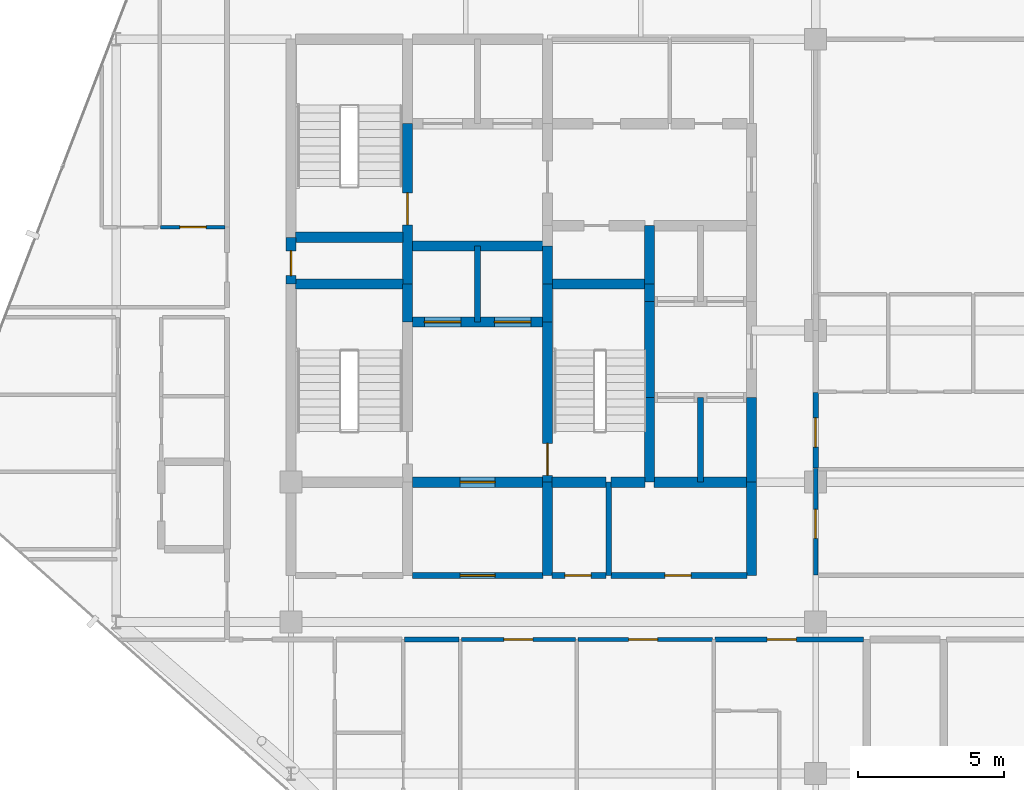
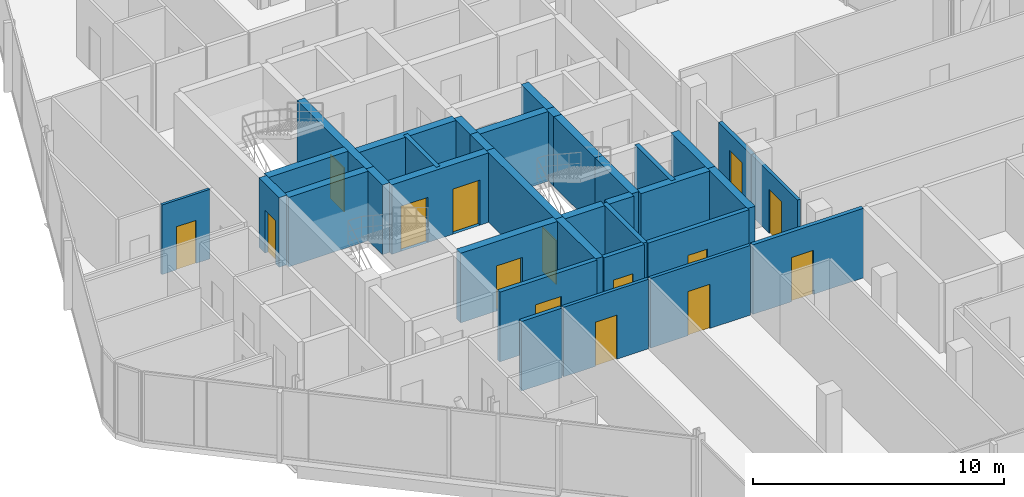
# One storey, part 24 of 29: 35 walls, 15 doors, 15 openings.
"""IFC4 building model written with IfcOpenShell, lengths in metres."""

from ifc_helpers import new_model, si_unit, direction, frame, frame_2d, origin, place, context, subcontext, project, spatial, rectangle, extrude, material, layer, layer_set, type_object, element, fill, save


model = new_model("IFC4")

# Units and contexts
model_context = context("Model", 3, precision=1e-05, world=origin(), true_north=direction((0.0, 1.0)))
body_context = subcontext(model_context, "Body", "Model", "MODEL_VIEW")
ifc_project = project(units=[si_unit("LENGTHUNIT", "METRE"), si_unit("AREAUNIT", "SQUARE_METRE"), si_unit("VOLUMEUNIT", "CUBIC_METRE"), si_unit("PLANEANGLEUNIT", "RADIAN"), si_unit("MASSUNIT", "GRAM", prefix="KILO")], contexts=[model_context])

# Site, building, storey
site_placement = place(None, origin())
site = spatial("IfcSite", under=ifc_project, at=site_placement, CompositionType="ELEMENT")
building_placement = place(site_placement, origin())
building = spatial("IfcBuilding", under=site, at=building_placement, Name="Keshet Zoharim Tower", CompositionType="ELEMENT")
storey_placement = place(building_placement, frame((0.0, 0.0, 210.60009765625)))
storey = spatial("IfcBuildingStorey", under=building, at=storey_placement, Name="L52", CompositionType="ELEMENT", Elevation=210.60009765625)

# Wall, opening, door
ifc_material_1 = material(Name="Gypsum Plasterboard", Category="gypsum")
ifc_layer_1 = layer(ifc_material_1, 0.14990234375)
ifc_layer_set_1 = layer_set([ifc_layer_1], Name="Gypsum Plasterboard")
wall_type_1 = type_object("IfcWallType", Name="WL-CLIN-150", PredefinedType="STANDARD", material=ifc_layer_set_1)
wall_1_placement = place(storey_placement, frame((33.0, 19.510009765625, 0.0), z_axis=(0.0, 0.0, 1.0), x_axis=(0.0, 1.0, 0.0)))
wall_1 = element("IfcWall", 1, at=wall_1_placement, inside=storey, type_object=wall_type_1, Name="L52 Interior Wall 067", PredefinedType="STANDARD", context=body_context, shape_type="SweptSolid", body=[
    extrude(rectangle(XDim=3.659912109375, YDim=0.14990234375, at=frame_2d((1.830078125, 0.0))), origin(), (0.0, 0.0, 1.0), 2.989990234375),
])
opening_1_placement = place(wall_1_placement, frame((1.258056640625, 0.0, 0.0)))
opening_1 = element("IfcOpeningElement", 2, at=opening_1_placement, cuts=wall_1, Name="Opening D-F310", PredefinedType="OPENING", context=body_context, shape_type="SweptSolid", body=[
    extrude(rectangle(XDim=1.0, YDim=2.14990234375, at=frame_2d((0.5, 1.074951171875))), frame((0.0, 0.0849609375, 0.0), z_axis=(0.0, -1.0, 0.0), x_axis=(1.0, 0.0, 0.0)), (0.0, 0.0, 1.0), 0.169921875),
])
ifc_material_2 = material(Name="Hardwood Timber", Category="wood")
door_type_1 = type_object("IfcDoorType", Name="DR-FD30-100", OperationType="NOTDEFINED", PredefinedType="DOOR", material=ifc_material_2)
door_1_placement = place(opening_1_placement, origin())
door_1 = element("IfcDoor", 3, at=door_1_placement, inside=storey, type_object=door_type_1, Name="L52 South East Residents Services Suite Door 2", OperationType="SINGLE_SWING_RIGHT", OverallHeight=2.14990234375, OverallWidth=1.0, PredefinedType="DOOR", context=body_context, shape_type="SweptSolid", body=[
    extrude(rectangle(XDim=1.0, YDim=2.14990234375, at=frame_2d((0.5, 1.074951171875))), frame((0.0, 0.02490234375, 0.0), z_axis=(0.0, -1.0, 0.0), x_axis=(1.0, 0.0, 0.0)), (0.0, 0.0, 1.0), 0.050048828125),
])
fill(opening_1, door_1)

wall_2_placement = place(storey_placement, frame((20.844970703125, 17.300048828125, 0.0), z_axis=(0.0, 0.0, 1.0), x_axis=(1.0, 0.0, 0.0)))
wall_2 = element("IfcWall", 4, at=wall_2_placement, inside=storey, type_object=wall_type_1, Name="L52 Interior Wall 120", PredefinedType="STANDARD", context=body_context, shape_type="SweptSolid", body=[
    extrude(rectangle(XDim=3.909912109375, YDim=0.14990234375, at=frame_2d((1.955078125, 0.0))), origin(), (0.0, 0.0, 1.0), 3.389892578125),
])
opening_2_placement = place(wall_2_placement, frame((1.455078125, 0.0, 0.0)))
opening_2 = element("IfcOpeningElement", 5, at=opening_2_placement, cuts=wall_2, Name="Opening D-F310", PredefinedType="OPENING", context=body_context, shape_type="SweptSolid", body=[
    extrude(rectangle(XDim=1.0, YDim=2.14990234375, at=frame_2d((0.5, 1.074951171875))), frame((0.0, 0.0849609375, 0.0), z_axis=(0.0, -1.0, 0.0), x_axis=(1.0, 0.0, 0.0)), (0.0, 0.0, 1.0), 0.169921875),
])
door_2_placement = place(opening_2_placement, origin())
door_2 = element("IfcDoor", 6, at=door_2_placement, inside=storey, type_object=door_type_1, Name="L52 Residents Music Studio Door", OperationType="SINGLE_SWING_LEFT", OverallHeight=2.14990234375, OverallWidth=1.0, PredefinedType="DOOR", context=body_context, shape_type="SweptSolid", body=[
    extrude(rectangle(XDim=1.0, YDim=2.14990234375, at=frame_2d((0.5, 1.074951171875))), frame((0.0, 0.02490234375, 0.0), z_axis=(0.0, -1.0, 0.0), x_axis=(1.0, 0.0, 0.0)), (0.0, 0.0, 1.0), 0.050048828125),
])
fill(opening_2, door_2)

wall_3_placement = place(storey_placement, frame((24.844970703125, 17.300048828125, 0.0), z_axis=(0.0, 0.0, 1.0), x_axis=(1.0, 0.0, 0.0)))
wall_3 = element("IfcWall", 7, at=wall_3_placement, inside=storey, type_object=wall_type_1, Name="L52 Interior Wall 121", PredefinedType="STANDARD", context=body_context, shape_type="SweptSolid", body=[
    extrude(rectangle(XDim=4.610107421875, YDim=0.14990234375, at=frame_2d((2.30517578125, 0.0))), origin(), (0.0, 0.0, 1.0), 3.389892578125),
])
opening_3_placement = place(wall_3_placement, frame((1.73388671875, 0.0, 0.0)))
opening_3 = element("IfcOpeningElement", 8, at=opening_3_placement, cuts=wall_3, Name="Opening D-F310", PredefinedType="OPENING", context=body_context, shape_type="SweptSolid", body=[
    extrude(rectangle(XDim=1.0, YDim=2.14990234375, at=frame_2d((0.5, 1.074951171875))), frame((0.0, 0.0849609375, 0.0), z_axis=(0.0, -1.0, 0.0), x_axis=(1.0, 0.0, 0.0)), (0.0, 0.0, 1.0), 0.169921875),
])
door_3_placement = place(opening_3_placement, origin())
door_3 = element("IfcDoor", 9, at=door_3_placement, inside=storey, type_object=door_type_1, Name="L52 Residents Art Workshop Door", OperationType="SINGLE_SWING_RIGHT", OverallHeight=2.14990234375, OverallWidth=1.0, PredefinedType="DOOR", context=body_context, shape_type="SweptSolid", body=[
    extrude(rectangle(XDim=1.0, YDim=2.14990234375, at=frame_2d((0.5, 1.074951171875))), frame((0.0, 0.02490234375, 0.0), z_axis=(0.0, -1.0, 0.0), x_axis=(1.0, 0.0, 0.0)), (0.0, 0.0, 1.0), 0.050048828125),
])
fill(opening_3, door_3)

ifc_material_3 = material(Name="Concrete C60/75", Category="concrete")
ifc_layer_2 = layer(ifc_material_3, 0.35009765625)
ifc_layer_set_2 = layer_set([ifc_layer_2], Name="Concrete C60/75")
wall_type_2 = type_object("IfcWallType", Name="WL-CORE-350", PredefinedType="SHEAR", material=ifc_layer_set_2)
wall_4_placement = place(storey_placement, frame((15.0, 29.5, 0.0), z_axis=(0.0, 0.0, 1.0), x_axis=(0.0, 1.0, 0.0)))
wall_4 = element("IfcWall", 10, at=wall_4_placement, inside=storey, type_object=wall_type_2, Name="L52 Core Shear Wall 015", PredefinedType="SHEAR", context=body_context, shape_type="SweptSolid", body=[
    extrude(rectangle(XDim=1.60009765625, YDim=0.35009765625, at=frame_2d((0.800048828125, 0.0))), origin(), (0.0, 0.0, 1.0), 3.389892578125),
])
opening_4_placement = place(wall_4_placement, frame((0.287109375, 0.0, 0.0)))
opening_4 = element("IfcOpeningElement", 11, at=opening_4_placement, cuts=wall_4, Name="Opening D-RS85", PredefinedType="OPENING", context=body_context, shape_type="SweptSolid", body=[
    extrude(rectangle(XDim=0.85009765625, YDim=2.10009765625, at=frame_2d((0.425048828125, 1.050048828125))), frame((0.0, 0.18505859375, 0.0), z_axis=(0.0, -1.0, 0.0), x_axis=(1.0, 0.0, 0.0)), (0.0, 0.0, 1.0), 0.3701171875),
])
door_type_2 = type_object("IfcDoorType", Name="DR-RIS-085", OperationType="NOTDEFINED", PredefinedType="DOOR", material=ifc_material_2)
door_4_placement = place(opening_4_placement, origin())
door_4 = element("IfcDoor", 12, at=door_4_placement, inside=storey, type_object=door_type_2, Name="L52 Electrical Riser Access Cupboard Door", OperationType="SINGLE_SWING_LEFT", OverallHeight=2.10009765625, OverallWidth=0.85009765625, PredefinedType="DOOR", context=body_context, shape_type="SweptSolid", body=[
    extrude(rectangle(XDim=0.85009765625, YDim=2.10009765625, at=frame_2d((0.425048828125, 1.050048828125))), frame((0.0, 0.02490234375, 0.0), z_axis=(0.0, -1.0, 0.0), x_axis=(1.0, 0.0, 0.0)), (0.0, 0.0, 1.0), 0.050048828125),
])
fill(opening_4, door_4)

# Wall
wall_5_placement = place(storey_placement, frame((19.0, 28.199951171875, 0.0), z_axis=(0.0, 0.0, 1.0), x_axis=(0.0, 1.0, 0.0)))
element("IfcWall", 13, at=wall_5_placement, inside=storey, type_object=wall_type_2, Name="L52 Core Shear Wall 027", PredefinedType="SHEAR", context=body_context, shape_type="SweptSolid", body=[
    extrude(rectangle(XDim=1.300048828125, YDim=0.35009765625, at=frame_2d((0.64990234375, 0.0))), origin(), (0.0, 0.0, 1.0), 3.389892578125),
])

# Wall, opening, door
wall_6_placement = place(storey_placement, frame((19.0, 29.5, 0.0), z_axis=(0.0, 0.0, 1.0), x_axis=(0.0, 1.0, 0.0)))
wall_6 = element("IfcWall", 14, at=wall_6_placement, inside=storey, type_object=wall_type_2, Name="L52 Core Shear Wall 028", PredefinedType="SHEAR", context=body_context, shape_type="SweptSolid", body=[
    extrude(rectangle(XDim=5.5, YDim=0.35009765625, at=frame_2d((2.75, 0.0))), origin(), (0.0, 0.0, 1.0), 3.389892578125),
])
opening_5_placement = place(wall_6_placement, frame((2.02490234375, 0.0, 0.0)))
opening_5 = element("IfcOpeningElement", 15, at=opening_5_placement, cuts=wall_6, Name="Opening D-F611", PredefinedType="OPENING", context=body_context, shape_type="SweptSolid", body=[
    extrude(rectangle(XDim=1.10009765625, YDim=2.14990234375, at=frame_2d((0.550048828125, 1.074951171875))), frame((0.0, 0.18505859375, 0.0), z_axis=(0.0, -1.0, 0.0), x_axis=(1.0, 0.0, 0.0)), (0.0, 0.0, 1.0), 0.3701171875),
])
door_type_3 = type_object("IfcDoorType", Name="DR-FD60-110", OperationType="NOTDEFINED", PredefinedType="DOOR", material=ifc_material_2)
door_5_placement = place(opening_5_placement, origin())
door_5 = element("IfcDoor", 16, at=door_5_placement, inside=storey, type_object=door_type_3, Name="L52 Exit Stair ST-02 Fire Door", OperationType="SINGLE_SWING_LEFT", OverallHeight=2.14990234375, OverallWidth=1.10009765625, PredefinedType="DOOR", context=body_context, shape_type="SweptSolid", body=[
    extrude(rectangle(XDim=1.10009765625, YDim=2.14990234375, at=frame_2d((0.550048828125, 1.074951171875))), frame((0.0, 0.02490234375, 0.0), z_axis=(0.0, -1.0, 0.0), x_axis=(1.0, 0.0, 0.0)), (0.0, 0.0, 1.0), 0.050048828125),
])
fill(opening_5, door_5)

# Wall
wall_7_placement = place(storey_placement, frame((23.800048828125, 19.5, 0.0), z_axis=(0.0, 0.0, 1.0), x_axis=(0.0, 1.0, 0.0)))
element("IfcWall", 17, at=wall_7_placement, inside=storey, type_object=wall_type_2, Name="L52 Core Shear Wall 037", PredefinedType="SHEAR", context=body_context, shape_type="SweptSolid", body=[
    extrude(rectangle(XDim=3.199951171875, YDim=0.35009765625, at=frame_2d((1.60009765625, 0.0))), origin(), (0.0, 0.0, 1.0), 3.389892578125),
])

# Wall, opening, door
wall_8_placement = place(storey_placement, frame((23.800048828125, 22.699951171875, 0.0), z_axis=(0.0, 0.0, 1.0), x_axis=(0.0, 1.0, 0.0)))
wall_8 = element("IfcWall", 18, at=wall_8_placement, inside=storey, type_object=wall_type_2, Name="L52 Core Shear Wall 038", PredefinedType="SHEAR", context=body_context, shape_type="SweptSolid", body=[
    extrude(rectangle(XDim=5.5, YDim=0.35009765625, at=frame_2d((2.75, 0.0))), origin(), (0.0, 0.0, 1.0), 3.389892578125),
])
opening_6_placement = place(wall_8_placement, frame((0.235107421875, 0.0, 0.0)))
opening_6 = element("IfcOpeningElement", 19, at=opening_6_placement, cuts=wall_8, Name="Opening D-F611", PredefinedType="OPENING", context=body_context, shape_type="SweptSolid", body=[
    extrude(rectangle(XDim=1.10009765625, YDim=2.14990234375, at=frame_2d((0.550048828125, 1.074951171875))), frame((0.0, 0.18505859375, 0.0), z_axis=(0.0, -1.0, 0.0), x_axis=(1.0, 0.0, 0.0)), (0.0, 0.0, 1.0), 0.3701171875),
])
door_6_placement = place(opening_6_placement, frame((1.10009765625, 0.0, 0.0), z_axis=(0.0, 0.0, 1.0), x_axis=(-1.0, 0.0, 0.0)))
door_6 = element("IfcDoor", 20, at=door_6_placement, inside=storey, type_object=door_type_3, Name="L52 Exit Stair ST-03 Fire Door", OperationType="SINGLE_SWING_RIGHT", OverallHeight=2.14990234375, OverallWidth=1.10009765625, PredefinedType="DOOR", context=body_context, shape_type="SweptSolid", body=[
    extrude(rectangle(XDim=1.10009765625, YDim=2.14990234375, at=frame_2d((0.550048828125, 1.074951171875))), frame((0.0, 0.02490234375, 0.0), z_axis=(0.0, -1.0, 0.0), x_axis=(1.0, 0.0, 0.0)), (0.0, 0.0, 1.0), 0.050048828125),
])
fill(opening_6, door_6)

# Walls
for number, where, z_axis, x_axis, name in (
    (21, (23.800048828125, 28.199951171875, 0.0), (0.0, 0.0, 1.0), (0.0, 1.0, 0.0), "L52 Core Shear Wall 039"),
    (22, (23.800048828125, 29.5, 0.0), (0.0, 0.0, 1.0), (0.0, 1.0, 0.0), "L52 Core Shear Wall 040"),
):
    element("IfcWall", number, at=place(storey_placement, frame(where, z_axis=z_axis, x_axis=x_axis)), inside=storey, type_object=wall_type_2, Name=name, PredefinedType="SHEAR", context=body_context, shape_type="SweptSolid", body=[
        extrude(rectangle(XDim=1.300048828125, YDim=0.35009765625, at=frame_2d((0.64990234375, 0.0))), origin(), (0.0, 0.0, 1.0), 3.389892578125),
    ])
wall_9_placement = place(storey_placement, frame((27.300048828125, 22.699951171875, 0.0), z_axis=(0.0, 0.0, 1.0), x_axis=(0.0, 1.0, 0.0)))
element("IfcWall", 23, at=wall_9_placement, inside=storey, type_object=wall_type_2, Name="L52 Core Shear Wall 048", PredefinedType="SHEAR", context=body_context, shape_type="SweptSolid", body=[
    extrude(rectangle(XDim=2.900146484375, YDim=0.35009765625, at=frame_2d((1.4501953125, 0.0))), origin(), (0.0, 0.0, 1.0), 3.389892578125),
])
wall_10_placement = place(storey_placement, frame((27.300048828125, 25.60009765625, 0.0), z_axis=(0.0, 0.0, 1.0), x_axis=(0.0, 1.0, 0.0)))
element("IfcWall", 24, at=wall_10_placement, inside=storey, type_object=wall_type_2, Name="L52 Core Shear Wall 049", PredefinedType="SHEAR", context=body_context, shape_type="SweptSolid", body=[
    extrude(rectangle(XDim=3.2998046875, YDim=0.35009765625, at=frame_2d((1.64990234375, 0.0))), origin(), (0.0, 0.0, 1.0), 3.389892578125),
])
wall_11_placement = place(storey_placement, frame((27.300048828125, 28.89990234375, 0.0), z_axis=(0.0, 0.0, 1.0), x_axis=(0.0, 1.0, 0.0)))
element("IfcWall", 25, at=wall_11_placement, inside=storey, type_object=wall_type_2, Name="L52 Core Shear Wall 050", PredefinedType="SHEAR", context=body_context, shape_type="SweptSolid", body=[
    extrude(rectangle(XDim=0.60009765625, YDim=0.35009765625, at=frame_2d((0.300048828125, 0.0))), origin(), (0.0, 0.0, 1.0), 3.389892578125),
])
wall_12_placement = place(storey_placement, frame((27.300048828125, 29.5, 0.0), z_axis=(0.0, 0.0, 1.0), x_axis=(0.0, 1.0, 0.0)))
element("IfcWall", 26, at=wall_12_placement, inside=storey, type_object=wall_type_2, Name="L52 Core Shear Wall 051", PredefinedType="SHEAR", context=body_context, shape_type="SweptSolid", body=[
    extrude(rectangle(XDim=2.0, YDim=0.35009765625, at=frame_2d((1.0, 0.0))), origin(), (0.0, 0.0, 1.0), 3.389892578125),
])
wall_13_placement = place(storey_placement, frame((30.800048828125, 19.5, 0.0), z_axis=(0.0, 0.0, 1.0), x_axis=(0.0, 1.0, 0.0)))
element("IfcWall", 27, at=wall_13_placement, inside=storey, type_object=wall_type_2, Name="L52 Core Shear Wall 060", PredefinedType="SHEAR", context=body_context, shape_type="SweptSolid", body=[
    extrude(rectangle(XDim=3.199951171875, YDim=0.35009765625, at=frame_2d((1.60009765625, 0.0))), origin(), (0.0, 0.0, 1.0), 3.389892578125),
])
wall_14_placement = place(storey_placement, frame((30.800048828125, 22.699951171875, 0.0), z_axis=(0.0, 0.0, 1.0), x_axis=(0.0, 1.0, 0.0)))
element("IfcWall", 28, at=wall_14_placement, inside=storey, type_object=wall_type_2, Name="L52 Core Shear Wall 061", PredefinedType="SHEAR", context=body_context, shape_type="SweptSolid", body=[
    extrude(rectangle(XDim=2.900146484375, YDim=0.35009765625, at=frame_2d((1.4501953125, 0.0))), origin(), (0.0, 0.0, 1.0), 3.389892578125),
])

# Wall, opening, door
wall_15_placement = place(storey_placement, frame((19.159912109375, 22.699951171875, 0.0), z_axis=(0.0, 0.0, 1.0), x_axis=(1.0, 0.0, 0.0)))
wall_15 = element("IfcWall", 29, at=wall_15_placement, inside=storey, type_object=wall_type_2, Name="L52 Core Shear Wall 140", PredefinedType="SHEAR", context=body_context, shape_type="SweptSolid", body=[
    extrude(rectangle(XDim=4.47998046875, YDim=0.35009765625, at=frame_2d((2.239990234375, 0.0))), origin(), (0.0, 0.0, 1.0), 3.389892578125),
])
opening_7_placement = place(wall_15_placement, frame((1.639892578125, 0.0, 0.0)))
opening_7 = element("IfcOpeningElement", 30, at=opening_7_placement, cuts=wall_15, Name="Opening D-F612", PredefinedType="OPENING", context=body_context, shape_type="SweptSolid", body=[
    extrude(rectangle(XDim=1.199951171875, YDim=2.199951171875, at=frame_2d((0.60009765625, 1.10009765625))), frame((0.0, 0.18505859375, 0.0), z_axis=(0.0, -1.0, 0.0), x_axis=(1.0, 0.0, 0.0)), (0.0, 0.0, 1.0), 0.3701171875),
])
door_type_4 = type_object("IfcDoorType", Name="DR-FD60-120", OperationType="NOTDEFINED", PredefinedType="DOOR", material=ifc_material_2)
door_7_placement = place(opening_7_placement, origin())
door_7 = element("IfcDoor", 31, at=door_7_placement, inside=storey, type_object=door_type_4, Name="L52 South Core Lobby Fire Door", OperationType="SINGLE_SWING_RIGHT", OverallHeight=2.199951171875, OverallWidth=1.199951171875, PredefinedType="DOOR", context=body_context, shape_type="SweptSolid", body=[
    extrude(rectangle(XDim=1.199951171875, YDim=2.199951171875, at=frame_2d((0.60009765625, 1.10009765625))), frame((0.0, 0.02490234375, 0.0), z_axis=(0.0, -1.0, 0.0), x_axis=(1.0, 0.0, 0.0)), (0.0, 0.0, 1.0), 0.050048828125),
])
fill(opening_7, door_7)

# Walls
wall_16_placement = place(storey_placement, frame((23.9599609375, 22.699951171875, 0.0), z_axis=(0.0, 0.0, 1.0), x_axis=(1.0, 0.0, 0.0)))
element("IfcWall", 32, at=wall_16_placement, inside=storey, type_object=wall_type_2, Name="L52 Core Shear Wall 141", PredefinedType="SHEAR", context=body_context, shape_type="SweptSolid", body=[
    extrude(rectangle(XDim=1.85498046875, YDim=0.35009765625, at=frame_2d((0.927490234375, 0.0))), origin(), (0.0, 0.0, 1.0), 3.389892578125),
])
wall_17_placement = place(storey_placement, frame((25.985107421875, 22.699951171875, 0.0), z_axis=(0.0, 0.0, 1.0), x_axis=(1.0, 0.0, 0.0)))
element("IfcWall", 33, at=wall_17_placement, inside=storey, type_object=wall_type_2, Name="L52 Core Shear Wall 142", PredefinedType="SHEAR", context=body_context, shape_type="SweptSolid", body=[
    extrude(rectangle(XDim=1.15478515625, YDim=0.35009765625, at=frame_2d((0.577392578125, 0.0))), origin(), (0.0, 0.0, 1.0), 3.389892578125),
])
wall_18_placement = place(storey_placement, frame((27.4599609375, 22.699951171875, 0.0), z_axis=(0.0, 0.0, 1.0), x_axis=(1.0, 0.0, 0.0)))
element("IfcWall", 34, at=wall_18_placement, inside=storey, type_object=wall_type_2, Name="L52 Core Shear Wall 143", PredefinedType="SHEAR", context=body_context, shape_type="SweptSolid", body=[
    extrude(rectangle(XDim=3.179931640625, YDim=0.35009765625, at=frame_2d((1.58984375, 0.0))), origin(), (0.0, 0.0, 1.0), 3.389892578125),
])

# Wall, openings, doors
wall_19_placement = place(storey_placement, frame((19.159912109375, 28.199951171875, 0.0), z_axis=(0.0, 0.0, 1.0), x_axis=(1.0, 0.0, 0.0)))
wall_19 = element("IfcWall", 35, at=wall_19_placement, inside=storey, type_object=wall_type_2, Name="L52 Core Shear Wall 153", PredefinedType="SHEAR", context=body_context, shape_type="SweptSolid", body=[
    extrude(rectangle(XDim=4.47998046875, YDim=0.35009765625, at=frame_2d((2.239990234375, 0.0))), origin(), (0.0, 0.0, 1.0), 3.389892578125),
])
opening_8_placement = place(wall_19_placement, frame((0.4150390625, 0.0, 0.0)))
opening_8 = element("IfcOpeningElement", 36, at=opening_8_placement, cuts=wall_19, Name="Opening LD-01", PredefinedType="OPENING", context=body_context, shape_type="SweptSolid", body=[
    extrude(rectangle(XDim=1.25, YDim=2.199951171875, at=frame_2d((0.625, 1.10009765625))), frame((0.0, 0.18505859375, 0.0), z_axis=(0.0, -1.0, 0.0), x_axis=(1.0, 0.0, 0.0)), (0.0, 0.0, 1.0), 0.3701171875),
])
opening_9_placement = place(wall_19_placement, frame((2.81494140625, 0.0, 0.0)))
opening_9 = element("IfcOpeningElement", 37, at=opening_9_placement, cuts=wall_19, Name="Opening LD-01", PredefinedType="OPENING", context=body_context, shape_type="SweptSolid", body=[
    extrude(rectangle(XDim=1.25, YDim=2.199951171875, at=frame_2d((0.625, 1.10009765625))), frame((0.0, 0.18505859375, 0.0), z_axis=(0.0, -1.0, 0.0), x_axis=(1.0, 0.0, 0.0)), (0.0, 0.0, 1.0), 0.3701171875),
])
ifc_material_4 = material(Name="Steel S355", Category="steel")
door_type_5 = type_object("IfcDoorType", Name="DR-LD01-125", OperationType="DOUBLE_DOOR_SLIDING", PredefinedType="DOOR", material=ifc_material_4)
door_8_placement = place(opening_8_placement, origin())
door_8 = element("IfcDoor", 38, at=door_8_placement, inside=storey, type_object=door_type_5, Name="L52 Passenger Lift Landing Door LF-09", OperationType="DOUBLE_DOOR_SLIDING", OverallHeight=2.199951171875, OverallWidth=1.25, PredefinedType="DOOR", context=body_context, shape_type="SweptSolid", body=[
    extrude(rectangle(XDim=1.25, YDim=2.199951171875, at=frame_2d((0.625, 1.10009765625))), frame((0.0, 0.02490234375, 0.0), z_axis=(0.0, -1.0, 0.0), x_axis=(1.0, 0.0, 0.0)), (0.0, 0.0, 1.0), 0.050048828125),
])
fill(opening_8, door_8)
door_9_placement = place(opening_9_placement, origin())
door_9 = element("IfcDoor", 39, at=door_9_placement, inside=storey, type_object=door_type_5, Name="L52 Passenger Lift Landing Door LF-10", OperationType="DOUBLE_DOOR_SLIDING", OverallHeight=2.199951171875, OverallWidth=1.25, PredefinedType="DOOR", context=body_context, shape_type="SweptSolid", body=[
    extrude(rectangle(XDim=1.25, YDim=2.199951171875, at=frame_2d((0.625, 1.10009765625))), frame((0.0, 0.02490234375, 0.0), z_axis=(0.0, -1.0, 0.0), x_axis=(1.0, 0.0, 0.0)), (0.0, 0.0, 1.0), 0.050048828125),
])
fill(opening_9, door_9)

# Walls
wall_20_placement = place(storey_placement, frame((15.159912109375, 29.5, 0.0), z_axis=(0.0, 0.0, 1.0), x_axis=(1.0, 0.0, 0.0)))
element("IfcWall", 40, at=wall_20_placement, inside=storey, type_object=wall_type_2, Name="L52 Core Shear Wall 162", PredefinedType="SHEAR", context=body_context, shape_type="SweptSolid", body=[
    extrude(rectangle(XDim=3.68017578125, YDim=0.35009765625, at=frame_2d((1.840087890625, 0.0))), origin(), (0.0, 0.0, 1.0), 3.389892578125),
])
wall_21_placement = place(storey_placement, frame((23.9599609375, 29.5, 0.0), z_axis=(0.0, 0.0, 1.0), x_axis=(1.0, 0.0, 0.0)))
element("IfcWall", 41, at=wall_21_placement, inside=storey, type_object=wall_type_2, Name="L52 Core Shear Wall 163", PredefinedType="SHEAR", context=body_context, shape_type="SweptSolid", body=[
    extrude(rectangle(XDim=3.179931640625, YDim=0.35009765625, at=frame_2d((1.58984375, 0.0))), origin(), (0.0, 0.0, 1.0), 3.389892578125),
])
wall_22_placement = place(storey_placement, frame((19.159912109375, 30.800048828125, 0.0), z_axis=(0.0, 0.0, 1.0), x_axis=(1.0, 0.0, 0.0)))
element("IfcWall", 42, at=wall_22_placement, inside=storey, type_object=wall_type_2, Name="L52 Core Shear Wall 164", PredefinedType="SHEAR", context=body_context, shape_type="SweptSolid", body=[
    extrude(rectangle(XDim=4.47998046875, YDim=0.35009765625, at=frame_2d((2.239990234375, 0.0))), origin(), (0.0, 0.0, 1.0), 3.389892578125),
])
wall_23_placement = place(storey_placement, frame((15.159912109375, 31.10009765625, 0.0), z_axis=(0.0, 0.0, 1.0), x_axis=(1.0, 0.0, 0.0)))
element("IfcWall", 43, at=wall_23_placement, inside=storey, type_object=wall_type_2, Name="L52 Core Shear Wall 165", PredefinedType="SHEAR", context=body_context, shape_type="SweptSolid", body=[
    extrude(rectangle(XDim=3.68017578125, YDim=0.35009765625, at=frame_2d((1.840087890625, 0.0))), origin(), (0.0, 0.0, 1.0), 3.389892578125),
])

# Wall, opening, door
ifc_layer_3 = layer(ifc_material_1, 0.179931640625)
ifc_layer_set_3 = layer_set([ifc_layer_3], Name="Gypsum Plasterboard")
wall_type_3 = type_object("IfcWallType", Name="WL-CORR-180", PredefinedType="STANDARD", material=ifc_layer_set_3)
wall_24_placement = place(storey_placement, frame((33.0, 23.179931640625, 0.0), z_axis=(0.0, 0.0, 1.0), x_axis=(0.0, 1.0, 0.0)))
wall_24 = element("IfcWall", 44, at=wall_24_placement, inside=storey, type_object=wall_type_3, Name="L52 Interior Wall 068", PredefinedType="STANDARD", context=body_context, shape_type="SweptSolid", body=[
    extrude(rectangle(XDim=2.60009765625, YDim=0.179931640625, at=frame_2d((1.300048828125, 0.0))), origin(), (0.0, 0.0, 1.0), 2.989990234375),
])
opening_10_placement = place(wall_24_placement, frame((0.722900390625, 0.0, 0.0)))
opening_10 = element("IfcOpeningElement", 45, at=opening_10_placement, cuts=wall_24, Name="Opening D-F310", PredefinedType="OPENING", context=body_context, shape_type="SweptSolid", body=[
    extrude(rectangle(XDim=1.0, YDim=2.14990234375, at=frame_2d((0.5, 1.074951171875))), frame((0.0, 0.10009765625, 0.0), z_axis=(0.0, -1.0, 0.0), x_axis=(1.0, 0.0, 0.0)), (0.0, 0.0, 1.0), 0.199951171875),
])
door_10_placement = place(opening_10_placement, origin())
door_10 = element("IfcDoor", 46, at=door_10_placement, inside=storey, type_object=door_type_1, Name="Apartment 5209 Entrance Door", OperationType="SINGLE_SWING_LEFT", OverallHeight=2.14990234375, OverallWidth=1.0, PredefinedType="DOOR", context=body_context, shape_type="SweptSolid", body=[
    extrude(rectangle(XDim=1.0, YDim=2.14990234375, at=frame_2d((0.5, 1.074951171875))), frame((0.0, 0.02490234375, 0.0), z_axis=(0.0, -1.0, 0.0), x_axis=(1.0, 0.0, 0.0)), (0.0, 0.0, 1.0), 0.050048828125),
])
fill(opening_10, door_10)

# Wall
wall_25_placement = place(storey_placement, frame((18.89501953125, 17.300048828125, 0.0), z_axis=(0.0, 0.0, 1.0), x_axis=(1.0, 0.0, 0.0)))
element("IfcWall", 47, at=wall_25_placement, inside=storey, type_object=wall_type_3, Name="L52 Interior Wall 119", PredefinedType="STANDARD", context=body_context, shape_type="SweptSolid", body=[
    extrude(rectangle(XDim=1.85986328125, YDim=0.179931640625, at=frame_2d((0.929931640625, 0.0))), origin(), (0.0, 0.0, 1.0), 3.389892578125),
])

# Wall, opening, door
wall_26_placement = place(storey_placement, frame((29.544921875, 17.300048828125, 0.0), z_axis=(0.0, 0.0, 1.0), x_axis=(1.0, 0.0, 0.0)))
wall_26 = element("IfcWall", 48, at=wall_26_placement, inside=storey, type_object=wall_type_3, Name="L52 Interior Wall 122", PredefinedType="STANDARD", context=body_context, shape_type="SweptSolid", body=[
    extrude(rectangle(XDim=5.094970703125, YDim=0.179931640625, at=frame_2d((2.54736328125, 0.0))), origin(), (0.0, 0.0, 1.0), 3.389892578125),
])
opening_11_placement = place(wall_26_placement, frame((1.7919921875, 0.0, 0.0)))
opening_11 = element("IfcOpeningElement", 49, at=opening_11_placement, cuts=wall_26, Name="Opening D-F310", PredefinedType="OPENING", context=body_context, shape_type="SweptSolid", body=[
    extrude(rectangle(XDim=1.0, YDim=2.14990234375, at=frame_2d((0.5, 1.074951171875))), frame((0.0, 0.10009765625, 0.0), z_axis=(0.0, -1.0, 0.0), x_axis=(1.0, 0.0, 0.0)), (0.0, 0.0, 1.0), 0.199951171875),
])
door_11_placement = place(opening_11_placement, origin())
door_11 = element("IfcDoor", 50, at=door_11_placement, inside=storey, type_object=door_type_1, Name="Apartment 5202 Entrance Door", OperationType="SINGLE_SWING_LEFT", OverallHeight=2.14990234375, OverallWidth=1.0, PredefinedType="DOOR", context=body_context, shape_type="SweptSolid", body=[
    extrude(rectangle(XDim=1.0, YDim=2.14990234375, at=frame_2d((0.5, 1.074951171875))), frame((0.0, 0.02490234375, 0.0), z_axis=(0.0, -1.0, 0.0), x_axis=(1.0, 0.0, 0.0)), (0.0, 0.0, 1.0), 0.050048828125),
])
fill(opening_11, door_11)

# Walls
ifc_material_5 = material(Name="Concrete C50/60", Category="concrete")
ifc_layer_4 = layer(ifc_material_5, 0.199951171875)
ifc_layer_set_4 = layer_set([ifc_layer_4], Name="Concrete C50/60")
wall_type_4 = type_object("IfcWallType", Name="WL-FIRE-200", PredefinedType="STANDARD", material=ifc_layer_set_4)
wall_27_placement = place(storey_placement, frame((21.39990234375, 28.199951171875, 0.0), z_axis=(0.0, 0.0, 1.0), x_axis=(0.0, 1.0, 0.0)))
element("IfcWall", 51, at=wall_27_placement, inside=storey, type_object=wall_type_4, Name="L52 Interior Wall 032", PredefinedType="STANDARD", context=body_context, shape_type="SweptSolid", body=[
    extrude(rectangle(XDim=2.60009765625, YDim=0.199951171875, at=frame_2d((1.300048828125, 0.0))), origin(), (0.0, 0.0, 1.0), 3.389892578125),
])
wall_28_placement = place(storey_placement, frame((25.89990234375, 19.5, 0.0), z_axis=(0.0, 0.0, 1.0), x_axis=(0.0, 1.0, 0.0)))
element("IfcWall", 52, at=wall_28_placement, inside=storey, type_object=wall_type_4, Name="L52 Interior Wall 045", PredefinedType="STANDARD", context=body_context, shape_type="SweptSolid", body=[
    extrude(rectangle(XDim=3.199951171875, YDim=0.199951171875, at=frame_2d((1.60009765625, 0.0))), origin(), (0.0, 0.0, 1.0), 3.389892578125),
])
wall_29_placement = place(storey_placement, frame((29.050048828125, 22.699951171875, 0.0), z_axis=(0.0, 0.0, 1.0), x_axis=(0.0, 1.0, 0.0)))
element("IfcWall", 53, at=wall_29_placement, inside=storey, type_object=wall_type_4, Name="L52 Interior Wall 053", PredefinedType="STANDARD", context=body_context, shape_type="SweptSolid", body=[
    extrude(rectangle(XDim=2.900146484375, YDim=0.199951171875, at=frame_2d((1.4501953125, 0.0))), origin(), (0.0, 0.0, 1.0), 3.389892578125),
])

# Wall, opening, door
wall_30_placement = place(storey_placement, frame((19.159912109375, 19.5, 0.0), z_axis=(0.0, 0.0, 1.0), x_axis=(1.0, 0.0, 0.0)))
wall_30 = element("IfcWall", 54, at=wall_30_placement, inside=storey, type_object=wall_type_4, Name="L52 Interior Wall 132", PredefinedType="STANDARD", context=body_context, shape_type="SweptSolid", body=[
    extrude(rectangle(XDim=4.47998046875, YDim=0.199951171875, at=frame_2d((2.239990234375, 0.0))), origin(), (0.0, 0.0, 1.0), 3.389892578125),
])
opening_12_placement = place(wall_30_placement, frame((1.639892578125, 0.0, 0.0)))
opening_12 = element("IfcOpeningElement", 55, at=opening_12_placement, cuts=wall_30, Name="Opening D-F612", PredefinedType="OPENING", context=body_context, shape_type="SweptSolid", body=[
    extrude(rectangle(XDim=1.199951171875, YDim=2.199951171875, at=frame_2d((0.60009765625, 1.10009765625))), frame((0.0, 0.10986328125, 0.0), z_axis=(0.0, -1.0, 0.0), x_axis=(1.0, 0.0, 0.0)), (0.0, 0.0, 1.0), 0.219970703125),
])
door_12_placement = place(opening_12_placement, origin())
door_12 = element("IfcDoor", 56, at=door_12_placement, inside=storey, type_object=door_type_4, Name="L52 South Vestibule Corridor Door", OperationType="SINGLE_SWING_RIGHT", OverallHeight=2.199951171875, OverallWidth=1.199951171875, PredefinedType="DOOR", context=body_context, shape_type="SweptSolid", body=[
    extrude(rectangle(XDim=1.199951171875, YDim=2.199951171875, at=frame_2d((0.60009765625, 1.10009765625))), frame((0.0, 0.02490234375, 0.0), z_axis=(0.0, -1.0, 0.0), x_axis=(1.0, 0.0, 0.0)), (0.0, 0.0, 1.0), 0.050048828125),
])
fill(opening_12, door_12)

wall_31_placement = place(storey_placement, frame((23.9599609375, 19.5, 0.0), z_axis=(0.0, 0.0, 1.0), x_axis=(1.0, 0.0, 0.0)))
wall_31 = element("IfcWall", 57, at=wall_31_placement, inside=storey, type_object=wall_type_4, Name="L52 Interior Wall 133", PredefinedType="STANDARD", context=body_context, shape_type="SweptSolid", body=[
    extrude(rectangle(XDim=1.85498046875, YDim=0.199951171875, at=frame_2d((0.927490234375, 0.0))), origin(), (0.0, 0.0, 1.0), 3.389892578125),
])
opening_13_placement = place(wall_31_placement, frame((0.43994140625, 0.0, 0.0)))
opening_13 = element("IfcOpeningElement", 58, at=opening_13_placement, cuts=wall_31, Name="Opening D-F690", PredefinedType="OPENING", context=body_context, shape_type="SweptSolid", body=[
    extrude(rectangle(XDim=0.89990234375, YDim=2.14990234375, at=frame_2d((0.449951171875, 1.074951171875))), frame((0.0, 0.10986328125, 0.0), z_axis=(0.0, -1.0, 0.0), x_axis=(1.0, 0.0, 0.0)), (0.0, 0.0, 1.0), 0.219970703125),
])
door_type_6 = type_object("IfcDoorType", Name="DR-FD60-090", OperationType="NOTDEFINED", PredefinedType="DOOR", material=ifc_material_2)
door_13_placement = place(opening_13_placement, origin())
door_13 = element("IfcDoor", 59, at=door_13_placement, inside=storey, type_object=door_type_6, Name="L52 Cleaners Store Door", OperationType="SINGLE_SWING_LEFT", OverallHeight=2.14990234375, OverallWidth=0.89990234375, PredefinedType="DOOR", context=body_context, shape_type="SweptSolid", body=[
    extrude(rectangle(XDim=0.89990234375, YDim=2.14990234375, at=frame_2d((0.449951171875, 1.074951171875))), frame((0.0, 0.02490234375, 0.0), z_axis=(0.0, -1.0, 0.0), x_axis=(1.0, 0.0, 0.0)), (0.0, 0.0, 1.0), 0.050048828125),
])
fill(opening_13, door_13)

wall_32_placement = place(storey_placement, frame((25.985107421875, 19.5, 0.0), z_axis=(0.0, 0.0, 1.0), x_axis=(1.0, 0.0, 0.0)))
wall_32 = element("IfcWall", 60, at=wall_32_placement, inside=storey, type_object=wall_type_4, Name="L52 Interior Wall 134", PredefinedType="STANDARD", context=body_context, shape_type="SweptSolid", body=[
    extrude(rectangle(XDim=4.65478515625, YDim=0.199951171875, at=frame_2d((2.327392578125, 0.0))), origin(), (0.0, 0.0, 1.0), 3.389892578125),
])
opening_14_placement = place(wall_32_placement, frame((1.844970703125, 0.0, 0.0)))
opening_14 = element("IfcOpeningElement", 61, at=opening_14_placement, cuts=wall_32, Name="Opening D-F690", PredefinedType="OPENING", context=body_context, shape_type="SweptSolid", body=[
    extrude(rectangle(XDim=0.89990234375, YDim=2.14990234375, at=frame_2d((0.449951171875, 1.074951171875))), frame((0.0, 0.10986328125, 0.0), z_axis=(0.0, -1.0, 0.0), x_axis=(1.0, 0.0, 0.0)), (0.0, 0.0, 1.0), 0.219970703125),
])
door_14_placement = place(opening_14_placement, origin())
door_14 = element("IfcDoor", 62, at=door_14_placement, inside=storey, type_object=door_type_6, Name="L52 Meter Room Door", OperationType="SINGLE_SWING_RIGHT", OverallHeight=2.14990234375, OverallWidth=0.89990234375, PredefinedType="DOOR", context=body_context, shape_type="SweptSolid", body=[
    extrude(rectangle(XDim=0.89990234375, YDim=2.14990234375, at=frame_2d((0.449951171875, 1.074951171875))), frame((0.0, 0.02490234375, 0.0), z_axis=(0.0, -1.0, 0.0), x_axis=(1.0, 0.0, 0.0)), (0.0, 0.0, 1.0), 0.050048828125),
])
fill(opening_14, door_14)

ifc_layer_5 = layer(ifc_material_1, 0.1201171875)
ifc_layer_set_5 = layer_set([ifc_layer_5], Name="Gypsum Plasterboard")
wall_type_5 = type_object("IfcWallType", Name="WL-WET-120", PredefinedType="PARTITIONING", material=ifc_layer_set_5)
wall_33_placement = place(storey_placement, frame((10.52294921875, 31.449951171875, 0.0), z_axis=(0.0, 0.0, 1.0), x_axis=(1.0, 0.0, 0.0)))
wall_33 = element("IfcWall", 63, at=wall_33_placement, inside=storey, type_object=wall_type_5, Name="L52 Interior Wall 167", PredefinedType="PARTITIONING", context=body_context, shape_type="SweptSolid", body=[
    extrude(rectangle(XDim=2.2021484375, YDim=0.1201171875, at=frame_2d((1.10107421875, 0.0))), origin(), (0.0, 0.0, 1.0), 3.389892578125),
])
opening_15_placement = place(wall_33_placement, frame((0.666015625, 0.0, 0.0)))
opening_15 = element("IfcOpeningElement", 64, at=opening_15_placement, cuts=wall_33, Name="Opening D-WT90", PredefinedType="OPENING", context=body_context, shape_type="SweptSolid", body=[
    extrude(rectangle(XDim=0.89990234375, YDim=2.10009765625, at=frame_2d((0.449951171875, 1.050048828125))), frame((0.0, 0.070068359375, 0.0), z_axis=(0.0, -1.0, 0.0), x_axis=(1.0, 0.0, 0.0)), (0.0, 0.0, 1.0), 0.14013671875),
])
door_type_7 = type_object("IfcDoorType", Name="DR-WET-090", OperationType="NOTDEFINED", PredefinedType="DOOR", material=ifc_material_2)
door_15_placement = place(opening_15_placement, origin())
door_15 = element("IfcDoor", 65, at=door_15_placement, inside=storey, type_object=door_type_7, Name="Apartment 5208 Bathroom Door", OperationType="SINGLE_SWING_RIGHT", OverallHeight=2.10009765625, OverallWidth=0.89990234375, PredefinedType="DOOR", context=body_context, shape_type="SweptSolid", body=[
    extrude(rectangle(XDim=0.89990234375, YDim=2.10009765625, at=frame_2d((0.449951171875, 1.050048828125))), frame((0.0, 0.02490234375, 0.0), z_axis=(0.0, -1.0, 0.0), x_axis=(1.0, 0.0, 0.0)), (0.0, 0.0, 1.0), 0.050048828125),
])
fill(opening_15, door_15)

save(model, "model.ifc")
